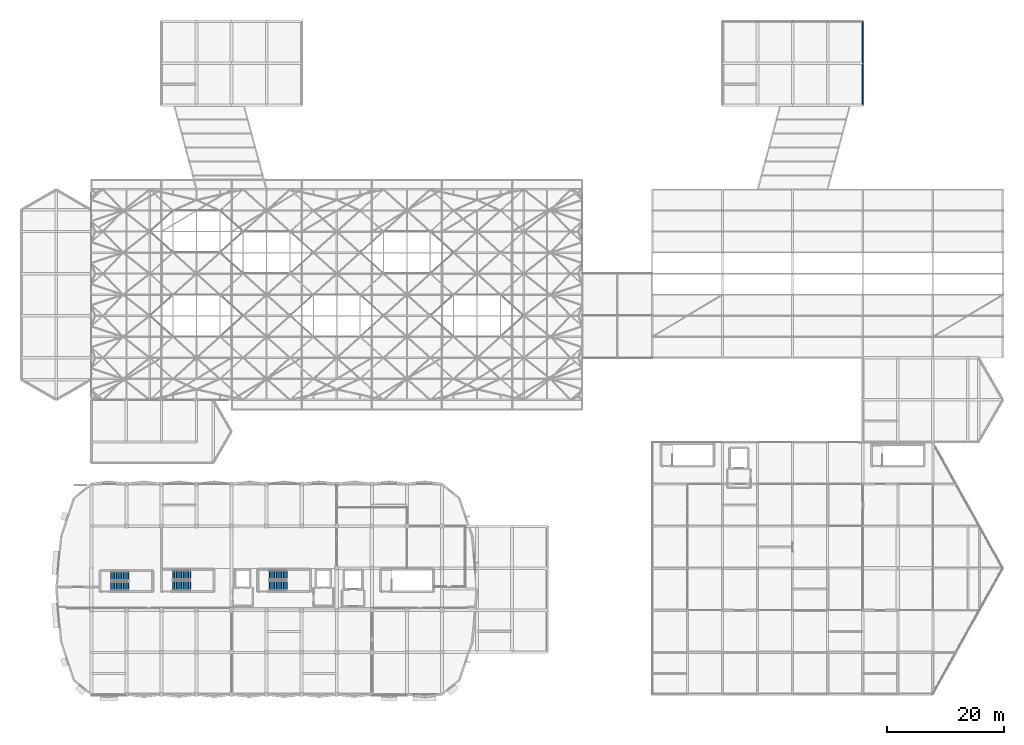
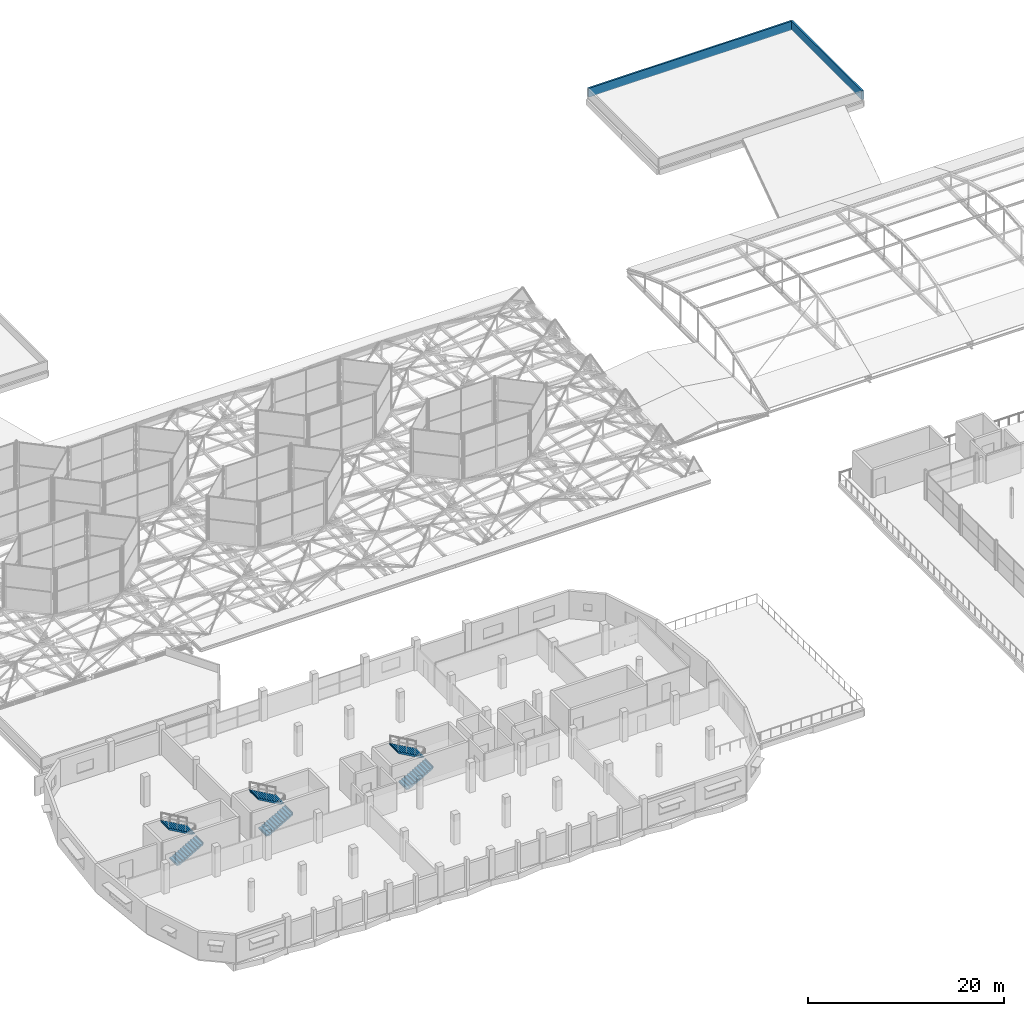
# One storey, part 231 of 239: 6 stair flights, 2 walls, 3 elements without a shape of their own.
"""IFC4 building model written with IfcOpenShell, lengths in metres."""

from ifc_helpers import new_model, si_unit, direction, frame, frame_2d, origin, place, context, subcontext, project, spatial, polyline, rectangle, outline, extrude, material, layer, layer_set, type_object, element, aggregate, save


model = new_model("IFC4")

# Units and contexts
model_context = context("Model", 3, precision=1e-05, world=origin(), true_north=direction((0.0, 1.0)))
body_context = subcontext(model_context, "Body", "Model", "MODEL_VIEW")
ifc_project = project(units=[si_unit("LENGTHUNIT", "METRE"), si_unit("AREAUNIT", "SQUARE_METRE"), si_unit("VOLUMEUNIT", "CUBIC_METRE"), si_unit("PLANEANGLEUNIT", "RADIAN"), si_unit("MASSUNIT", "GRAM", prefix="KILO")], contexts=[model_context])

# Site, building, storey
site_placement = place(None, origin())
site = spatial("IfcSite", under=ifc_project, at=site_placement, CompositionType="ELEMENT")
building_placement = place(site_placement, origin())
building = spatial("IfcBuilding", under=site, at=building_placement, Name="Dunvalen Ferry Terminal", CompositionType="ELEMENT")
storey_placement = place(building_placement, frame((0.0, 0.0, 9.840087890625)))
storey = spatial("IfcBuildingStorey", under=building, at=storey_placement, Name="L02", CompositionType="ELEMENT", Elevation=9.840087890625)

# Walls
ifc_material_1 = material(Name="Precast concrete C40/50", Category="concrete")
ifc_layer = layer(ifc_material_1, 0.199951171875, Name="Precast concrete C40/50")
ifc_layer_set = layer_set([ifc_layer], Name="Precast concrete C40/50")
wall_type = type_object("IfcWallType", Name="ENV-WL-PAR200", PredefinedType="PARAPET", material=ifc_layer_set)
wall_1_placement = place(storey_placement, frame((144.0, 100.800048828125, 0.0), z_axis=(0.0, 0.0, 1.0), x_axis=(0.0, 1.0, 0.0)))
element("IfcWall", 1, at=wall_1_placement, inside=storey, type_object=wall_type, Name="L02 Berth Pavilion 2 E Parapet", PredefinedType="PARAPET", context=body_context, shape_type="SweptSolid", body=[
    extrude(rectangle(XDim=14.39990234375, YDim=0.199951171875, at=frame_2d((7.199951171875, 0.0))), origin(), (0.0, 0.0, 1.0), 1.099853515625),
])
wall_2_placement = place(storey_placement, frame((144.0, 115.199951171875, 0.0), z_axis=(0.0, 0.0, 1.0), x_axis=(-1.0, 0.0, 0.0)))
element("IfcWall", 2, at=wall_2_placement, inside=storey, type_object=wall_type, Name="L02 Berth Pavilion 2 N Parapet", PredefinedType="PARAPET", context=body_context, shape_type="SweptSolid", body=[
    extrude(rectangle(XDim=24.0, YDim=0.199951171875, at=frame_2d((12.0, 0.0))), origin(), (0.0, 0.0, 1.0), 1.099853515625),
])

# Stair, stair flights
ifc_material_2 = material(Name="Concrete C35/45", Category="concrete")
stair_type_1 = type_object("IfcStairType", Name="INT-ST-DLG-03", PredefinedType="HALF_TURN_STAIR", material=ifc_material_2)
stair_1_placement = place(storey_placement, origin())
stair_1 = element("IfcStair", 3, at=stair_1_placement, inside=storey, type_object=stair_type_1, Name="L02 Protected Escape Stair 5", PredefinedType="HALF_TURN_STAIR")
stair_flight_type_1 = type_object("IfcStairFlightType", Name="INT-SFL-STR-03", PredefinedType="STRAIGHT", material=ifc_material_1)
stair_flight_1_placement = place(storey_placement, frame((15.39990234375, 18.52490234375, 0.0), z_axis=(0.0, 0.0, 1.0), x_axis=(1.0, 0.0, 0.0)))
stair_flight_1 = element("IfcStairFlight", 4, at=stair_flight_1_placement, type_object=stair_flight_type_1, Name="ST5 flight 1", NumberOfRisers=11, NumberOfTreads=10, PredefinedType="STRAIGHT", RiserHeight=0.17, TreadLength=0.3, context=body_context, shape_type="SweptSolid", body=[
    extrude(outline(polyline([(-0.080078125, 0.0), (-0.080078125, 0.080078125), (0.0, 0.169921875), (0.300048828125, 0.169921875), (0.300048828125, 0.340087890625), (0.60009765625, 0.340087890625), (0.60009765625, 0.510009765625), (0.89990234375, 0.510009765625), (0.89990234375, 0.679931640625), (1.199951171875, 0.679931640625), (1.199951171875, 0.85009765625), (1.5, 0.85009765625), (1.5, 1.02001953125), (1.800048828125, 1.02001953125), (1.800048828125, 1.18994140625), (2.10009765625, 1.18994140625), (2.10009765625, 1.360107421875), (2.39990234375, 1.360107421875), (2.39990234375, 1.530029296875), (2.699951171875, 1.530029296875), (2.699951171875, 1.699951171875), (3.0, 1.699951171875), (3.0, 1.8701171875), (3.080078125, 1.8701171875), (3.080078125, 1.710205078125), (3.0, 1.527587890625), (0.303955078125, 0.0), (-0.080078125, 0.0)])), frame((0.0, 0.77490234375, 0.0), z_axis=(0.0, -1.0, 0.0), x_axis=(1.0, 0.0, 0.0)), (0.0, 0.0, 1.0), 1.550048828125),
])
stair_flight_2_placement = place(storey_placement, frame((18.39990234375, 20.27490234375, 1.869873046875), z_axis=(0.0, 0.0, 1.0), x_axis=(-1.0, 0.0, 0.0)))
stair_flight_2 = element("IfcStairFlight", 5, at=stair_flight_2_placement, type_object=stair_flight_type_1, Name="ST5 flight 2", NumberOfRisers=11, NumberOfTreads=10, PredefinedType="STRAIGHT", RiserHeight=0.17, TreadLength=0.3, context=body_context, shape_type="SweptSolid", body=[
    extrude(outline(polyline([(-0.080078125, 0.0), (-0.080078125, 0.080078125), (0.0, 0.169921875), (0.300048828125, 0.169921875), (0.300048828125, 0.340087890625), (0.60009765625, 0.340087890625), (0.60009765625, 0.510009765625), (0.89990234375, 0.510009765625), (0.89990234375, 0.679931640625), (1.199951171875, 0.679931640625), (1.199951171875, 0.85009765625), (1.5, 0.85009765625), (1.5, 1.02001953125), (1.800048828125, 1.02001953125), (1.800048828125, 1.18994140625), (2.10009765625, 1.18994140625), (2.10009765625, 1.360107421875), (2.39990234375, 1.360107421875), (2.39990234375, 1.530029296875), (2.699951171875, 1.530029296875), (2.699951171875, 1.699951171875), (3.0, 1.699951171875), (3.0, 1.8701171875), (3.080078125, 1.8701171875), (3.080078125, 1.710205078125), (3.0, 1.527587890625), (0.303955078125, 0.0), (-0.080078125, 0.0)])), frame((0.0, 0.77490234375, 0.0), z_axis=(0.0, -1.0, 0.0), x_axis=(1.0, 0.0, 0.0)), (0.0, 0.0, 1.0), 1.550048828125),
])
aggregate(stair_1, [stair_flight_1, stair_flight_2])

stair_type_2 = type_object("IfcStairType", Name="INT-ST-DLG-06", PredefinedType="HALF_TURN_STAIR", material=ifc_material_2)
stair_2_placement = place(storey_placement, origin())
stair_2 = element("IfcStair", 6, at=stair_2_placement, inside=storey, type_object=stair_type_2, Name="L02 Protected Escape Stair 1", PredefinedType="HALF_TURN_STAIR")
stair_flight_type_2 = type_object("IfcStairFlightType", Name="INT-SFL-STR-06", PredefinedType="STRAIGHT", material=ifc_material_1)
stair_flight_3_placement = place(storey_placement, frame((25.949951171875, 18.574951171875, 0.0), z_axis=(0.0, 0.0, 1.0), x_axis=(1.0, 0.0, 0.0)))
stair_flight_3 = element("IfcStairFlight", 7, at=stair_flight_3_placement, type_object=stair_flight_type_2, Name="ST1 flight 1", NumberOfRisers=11, NumberOfTreads=10, PredefinedType="STRAIGHT", RiserHeight=0.17, TreadLength=0.3, context=body_context, shape_type="SweptSolid", body=[
    extrude(outline(polyline([(-0.080078125, 0.0), (-0.080078125, 0.080078125), (0.0, 0.169921875), (0.300048828125, 0.169921875), (0.300048828125, 0.340087890625), (0.60009765625, 0.340087890625), (0.60009765625, 0.510009765625), (0.89990234375, 0.510009765625), (0.89990234375, 0.679931640625), (1.199951171875, 0.679931640625), (1.199951171875, 0.85009765625), (1.5, 0.85009765625), (1.5, 1.02001953125), (1.800048828125, 1.02001953125), (1.800048828125, 1.18994140625), (2.10009765625, 1.18994140625), (2.10009765625, 1.360107421875), (2.39990234375, 1.360107421875), (2.39990234375, 1.530029296875), (2.699951171875, 1.530029296875), (2.699951171875, 1.699951171875), (3.0, 1.699951171875), (3.0, 1.8701171875), (3.080078125, 1.8701171875), (3.080078125, 1.710205078125), (3.0, 1.527587890625), (0.303955078125, 0.0), (-0.080078125, 0.0)])), frame((0.0, 0.824951171875, 0.0), z_axis=(0.0, -1.0, 0.0), x_axis=(1.0, 0.0, 0.0)), (0.0, 0.0, 1.0), 1.64990234375),
])
stair_flight_4_placement = place(storey_placement, frame((28.949951171875, 20.425048828125, 1.869873046875), z_axis=(0.0, 0.0, 1.0), x_axis=(-1.0, 0.0, 0.0)))
stair_flight_4 = element("IfcStairFlight", 8, at=stair_flight_4_placement, type_object=stair_flight_type_2, Name="ST1 flight 2", NumberOfRisers=11, NumberOfTreads=10, PredefinedType="STRAIGHT", RiserHeight=0.17, TreadLength=0.3, context=body_context, shape_type="SweptSolid", body=[
    extrude(outline(polyline([(-0.080078125, 0.0), (-0.080078125, 0.080078125), (0.0, 0.169921875), (0.300048828125, 0.169921875), (0.300048828125, 0.340087890625), (0.60009765625, 0.340087890625), (0.60009765625, 0.510009765625), (0.89990234375, 0.510009765625), (0.89990234375, 0.679931640625), (1.199951171875, 0.679931640625), (1.199951171875, 0.85009765625), (1.5, 0.85009765625), (1.5, 1.02001953125), (1.800048828125, 1.02001953125), (1.800048828125, 1.18994140625), (2.10009765625, 1.18994140625), (2.10009765625, 1.360107421875), (2.39990234375, 1.360107421875), (2.39990234375, 1.530029296875), (2.699951171875, 1.530029296875), (2.699951171875, 1.699951171875), (3.0, 1.699951171875), (3.0, 1.8701171875), (3.080078125, 1.8701171875), (3.080078125, 1.710205078125), (3.0, 1.527587890625), (0.303955078125, 0.0), (-0.080078125, 0.0)])), frame((0.0, 0.824951171875, 0.0), z_axis=(0.0, -1.0, 0.0), x_axis=(1.0, 0.0, 0.0)), (0.0, 0.0, 1.0), 1.64990234375),
])
aggregate(stair_2, [stair_flight_3, stair_flight_4])

stair_3_placement = place(storey_placement, origin())
stair_3 = element("IfcStair", 9, at=stair_3_placement, inside=storey, type_object=stair_type_2, Name="L02 Protected Escape Stair 2", PredefinedType="HALF_TURN_STAIR")
stair_flight_5_placement = place(storey_placement, frame((42.449951171875, 18.574951171875, 0.0), z_axis=(0.0, 0.0, 1.0), x_axis=(1.0, 0.0, 0.0)))
stair_flight_5 = element("IfcStairFlight", 10, at=stair_flight_5_placement, type_object=stair_flight_type_2, Name="ST2 flight 1", NumberOfRisers=11, NumberOfTreads=10, PredefinedType="STRAIGHT", RiserHeight=0.17, TreadLength=0.3, context=body_context, shape_type="SweptSolid", body=[
    extrude(outline(polyline([(-0.080078125, 0.0), (-0.080078125, 0.080078125), (0.0, 0.169921875), (0.300048828125, 0.169921875), (0.300048828125, 0.340087890625), (0.60009765625, 0.340087890625), (0.60009765625, 0.510009765625), (0.89990234375, 0.510009765625), (0.89990234375, 0.679931640625), (1.199951171875, 0.679931640625), (1.199951171875, 0.85009765625), (1.5, 0.85009765625), (1.5, 1.02001953125), (1.800048828125, 1.02001953125), (1.800048828125, 1.18994140625), (2.10009765625, 1.18994140625), (2.10009765625, 1.360107421875), (2.39990234375, 1.360107421875), (2.39990234375, 1.530029296875), (2.699951171875, 1.530029296875), (2.699951171875, 1.699951171875), (3.0, 1.699951171875), (3.0, 1.8701171875), (3.080078125, 1.8701171875), (3.080078125, 1.710205078125), (3.0, 1.527587890625), (0.303955078125, 0.0), (-0.080078125, 0.0)])), frame((0.0, 0.824951171875, 0.0), z_axis=(0.0, -1.0, 0.0), x_axis=(1.0, 0.0, 0.0)), (0.0, 0.0, 1.0), 1.64990234375),
])
stair_flight_6_placement = place(storey_placement, frame((45.449951171875, 20.425048828125, 1.869873046875), z_axis=(0.0, 0.0, 1.0), x_axis=(-1.0, 0.0, 0.0)))
stair_flight_6 = element("IfcStairFlight", 11, at=stair_flight_6_placement, type_object=stair_flight_type_2, Name="ST2 flight 2", NumberOfRisers=11, NumberOfTreads=10, PredefinedType="STRAIGHT", RiserHeight=0.17, TreadLength=0.3, context=body_context, shape_type="SweptSolid", body=[
    extrude(outline(polyline([(-0.080078125, 0.0), (-0.080078125, 0.080078125), (0.0, 0.169921875), (0.300048828125, 0.169921875), (0.300048828125, 0.340087890625), (0.60009765625, 0.340087890625), (0.60009765625, 0.510009765625), (0.89990234375, 0.510009765625), (0.89990234375, 0.679931640625), (1.199951171875, 0.679931640625), (1.199951171875, 0.85009765625), (1.5, 0.85009765625), (1.5, 1.02001953125), (1.800048828125, 1.02001953125), (1.800048828125, 1.18994140625), (2.10009765625, 1.18994140625), (2.10009765625, 1.360107421875), (2.39990234375, 1.360107421875), (2.39990234375, 1.530029296875), (2.699951171875, 1.530029296875), (2.699951171875, 1.699951171875), (3.0, 1.699951171875), (3.0, 1.8701171875), (3.080078125, 1.8701171875), (3.080078125, 1.710205078125), (3.0, 1.527587890625), (0.303955078125, 0.0), (-0.080078125, 0.0)])), frame((0.0, 0.824951171875, 0.0), z_axis=(0.0, -1.0, 0.0), x_axis=(1.0, 0.0, 0.0)), (0.0, 0.0, 1.0), 1.64990234375),
])
aggregate(stair_3, [stair_flight_5, stair_flight_6])

save(model, "model.ifc")
